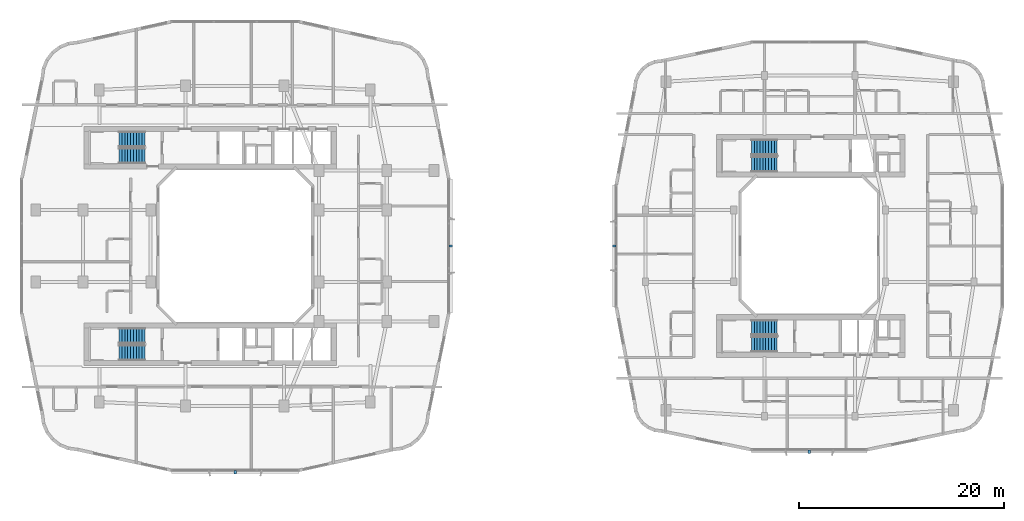
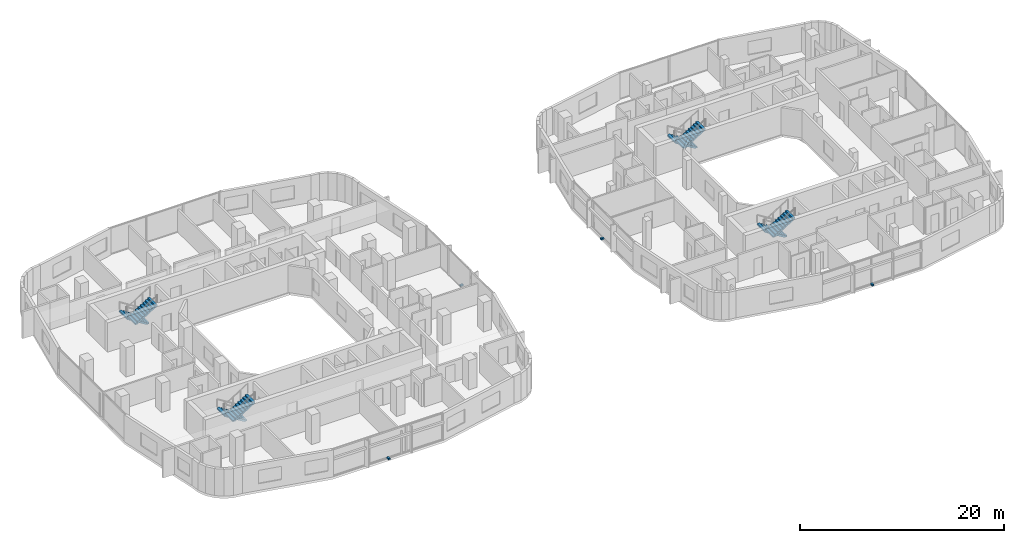
# One storey, part 22 of 27: 8 stair flights, 4 discrete accessories, 4 elements without a shape of their own.
"""IFC4 building model written with IfcOpenShell, lengths in metres."""

from ifc_helpers import new_model, si_unit, derived_unit, direction, frame, origin, origin_2d, place, context, subcontext, project, spatial, polyline, rectangle, outline, extrude, material, type_object, element, aggregate, save


model = new_model("IFC4")

# Units and contexts
model_context = context("Model", 3, precision=1e-05, world=origin(), true_north=direction((0.0, 1.0)))
body_context = subcontext(model_context, "Body", "Model", "MODEL_VIEW")
ifc_project = project(units=[si_unit("LENGTHUNIT", "METRE"), si_unit("AREAUNIT", "SQUARE_METRE"), si_unit("VOLUMEUNIT", "CUBIC_METRE"), si_unit("PLANEANGLEUNIT", "RADIAN"), si_unit("MASSUNIT", "GRAM", prefix="KILO"), derived_unit("THERMALTRANSMITTANCEUNIT", [(si_unit("POWERUNIT", "WATT"), 1), (si_unit("LENGTHUNIT", "METRE"), -2), (si_unit("THERMODYNAMICTEMPERATUREUNIT", "KELVIN"), -1)])], contexts=[model_context])

# Site, building, storey
site_placement = place(None, origin())
site = spatial("IfcSite", under=ifc_project, at=site_placement, CompositionType="ELEMENT")
building_placement = place(site_placement, origin())
building = spatial("IfcBuilding", under=site, at=building_placement, Name="Kivonza Crest Hotel", CompositionType="ELEMENT")
storey_placement = place(building_placement, frame((0.0, 0.0, 73.0)))
storey = spatial("IfcBuildingStorey", under=building, at=storey_placement, Name="L19", CompositionType="ELEMENT", Elevation=73.0)

# Stair, stair flights
ifc_material_1 = material(Name="Concrete C40/50", Category="concrete")
stair_type = type_object("IfcStairType", Name="ST-DL-20R", PredefinedType="HALF_TURN_STAIR", material=ifc_material_1)
stair_1_placement = place(storey_placement, origin())
stair_1 = element("IfcStair", 1, at=stair_1_placement, inside=storey, type_object=stair_type, Name="L19 Protected Exit Stair ST-T1-N", PredefinedType="HALF_TURN_STAIR")
stair_flight_type = type_object("IfcStairFlightType", Name="SFL-RC-10R", PredefinedType="STRAIGHT", material=ifc_material_1)
stair_flight_1_placement = place(storey_placement, frame((12.239990234375, 35.409912109375, 0.0), z_axis=(0.0, 0.0, 1.0), x_axis=(-1.0, 0.0, 0.0)))
stair_flight_1 = element("IfcStairFlight", 2, at=stair_flight_1_placement, type_object=stair_flight_type, Name="ST-T1-N flight 1", NumberOfRisers=10, NumberOfTreads=9, PredefinedType="STRAIGHT", RiserHeight=0.175, TreadLength=0.28, context=body_context, shape_type="SweptSolid", body=[
    extrude(outline(polyline([(0.0, 0.0), (0.0, 0.175048828125), (0.280029296875, 0.175048828125), (0.280029296875, 0.35009765625), (0.56005859375, 0.35009765625), (0.56005859375, 0.52490234375), (0.840087890625, 0.52490234375), (0.840087890625, 0.699951171875), (1.1201171875, 0.699951171875), (1.1201171875, 0.875), (1.39990234375, 0.875), (1.39990234375, 1.050048828125), (1.679931640625, 1.050048828125), (1.679931640625, 1.22509765625), (1.9599609375, 1.22509765625), (1.9599609375, 1.39990234375), (2.239990234375, 1.39990234375), (2.239990234375, 1.574951171875), (2.52001953125, 1.574951171875), (2.52001953125, 1.75), (2.52001953125, 1.398193359375), (0.28271484375, 0.0), (0.0, 0.0)])), frame((0.0, 0.75, 0.0), z_axis=(0.0, -1.0, 0.0), x_axis=(1.0, 0.0, 0.0)), (0.0, 0.0, 1.0), 1.5),
])
stair_flight_2_placement = place(storey_placement, frame((9.719970703125, 33.77001953125, 1.75), z_axis=(0.0, 0.0, 1.0), x_axis=(1.0, 0.0, 0.0)))
stair_flight_2 = element("IfcStairFlight", 3, at=stair_flight_2_placement, type_object=stair_flight_type, Name="ST-T1-N flight 2", NumberOfRisers=10, NumberOfTreads=9, PredefinedType="STRAIGHT", RiserHeight=0.175, TreadLength=0.28, context=body_context, shape_type="SweptSolid", body=[
    extrude(outline(polyline([(0.0, 0.0), (0.0, 0.175048828125), (0.280029296875, 0.175048828125), (0.280029296875, 0.35009765625), (0.56005859375, 0.35009765625), (0.56005859375, 0.52490234375), (0.840087890625, 0.52490234375), (0.840087890625, 0.699951171875), (1.1201171875, 0.699951171875), (1.1201171875, 0.875), (1.39990234375, 0.875), (1.39990234375, 1.050048828125), (1.679931640625, 1.050048828125), (1.679931640625, 1.22509765625), (1.9599609375, 1.22509765625), (1.9599609375, 1.39990234375), (2.239990234375, 1.39990234375), (2.239990234375, 1.574951171875), (2.52001953125, 1.574951171875), (2.52001953125, 1.75), (2.52001953125, 1.398193359375), (0.28271484375, 0.0), (0.0, 0.0)])), frame((0.0, 0.75, 0.0), z_axis=(0.0, -1.0, 0.0), x_axis=(1.0, 0.0, 0.0)), (0.0, 0.0, 1.0), 1.5),
])
aggregate(stair_1, [stair_flight_1, stair_flight_2])

stair_2_placement = place(storey_placement, origin())
stair_2 = element("IfcStair", 4, at=stair_2_placement, inside=storey, type_object=stair_type, Name="L19 Protected Exit Stair ST-T1-S", PredefinedType="HALF_TURN_STAIR")
stair_flight_3_placement = place(storey_placement, frame((12.239990234375, 16.25, 0.0), z_axis=(0.0, 0.0, 1.0), x_axis=(-1.0, 0.0, 0.0)))
stair_flight_3 = element("IfcStairFlight", 5, at=stair_flight_3_placement, type_object=stair_flight_type, Name="ST-T1-S flight 1", NumberOfRisers=10, NumberOfTreads=9, PredefinedType="STRAIGHT", RiserHeight=0.175, TreadLength=0.28, context=body_context, shape_type="SweptSolid", body=[
    extrude(outline(polyline([(0.0, 0.0), (0.0, 0.175048828125), (0.280029296875, 0.175048828125), (0.280029296875, 0.35009765625), (0.56005859375, 0.35009765625), (0.56005859375, 0.52490234375), (0.840087890625, 0.52490234375), (0.840087890625, 0.699951171875), (1.1201171875, 0.699951171875), (1.1201171875, 0.875), (1.39990234375, 0.875), (1.39990234375, 1.050048828125), (1.679931640625, 1.050048828125), (1.679931640625, 1.22509765625), (1.9599609375, 1.22509765625), (1.9599609375, 1.39990234375), (2.239990234375, 1.39990234375), (2.239990234375, 1.574951171875), (2.52001953125, 1.574951171875), (2.52001953125, 1.75), (2.52001953125, 1.398193359375), (0.28271484375, 0.0), (0.0, 0.0)])), frame((0.0, 0.75, 0.0), z_axis=(0.0, -1.0, 0.0), x_axis=(1.0, 0.0, 0.0)), (0.0, 0.0, 1.0), 1.5),
])
stair_flight_4_placement = place(storey_placement, frame((9.719970703125, 14.610107421875, 1.75), z_axis=(0.0, 0.0, 1.0), x_axis=(1.0, 0.0, 0.0)))
stair_flight_4 = element("IfcStairFlight", 6, at=stair_flight_4_placement, type_object=stair_flight_type, Name="ST-T1-S flight 2", NumberOfRisers=10, NumberOfTreads=9, PredefinedType="STRAIGHT", RiserHeight=0.175, TreadLength=0.28, context=body_context, shape_type="SweptSolid", body=[
    extrude(outline(polyline([(0.0, 0.0), (0.0, 0.175048828125), (0.280029296875, 0.175048828125), (0.280029296875, 0.35009765625), (0.56005859375, 0.35009765625), (0.56005859375, 0.52490234375), (0.840087890625, 0.52490234375), (0.840087890625, 0.699951171875), (1.1201171875, 0.699951171875), (1.1201171875, 0.875), (1.39990234375, 0.875), (1.39990234375, 1.050048828125), (1.679931640625, 1.050048828125), (1.679931640625, 1.22509765625), (1.9599609375, 1.22509765625), (1.9599609375, 1.39990234375), (2.239990234375, 1.39990234375), (2.239990234375, 1.574951171875), (2.52001953125, 1.574951171875), (2.52001953125, 1.75), (2.52001953125, 1.398193359375), (0.28271484375, 0.0), (0.0, 0.0)])), frame((0.0, 0.75, 0.0), z_axis=(0.0, -1.0, 0.0), x_axis=(1.0, 0.0, 0.0)), (0.0, 0.0, 1.0), 1.5),
])
aggregate(stair_2, [stair_flight_3, stair_flight_4])

stair_3_placement = place(storey_placement, origin())
stair_3 = element("IfcStair", 7, at=stair_3_placement, inside=storey, type_object=stair_type, Name="L19 Protected Exit Stair ST-T2-N", PredefinedType="HALF_TURN_STAIR")
stair_flight_5_placement = place(storey_placement, frame((73.840087890625, 34.610107421875, 0.0), z_axis=(0.0, 0.0, 1.0), x_axis=(-1.0, 0.0, 0.0)))
stair_flight_5 = element("IfcStairFlight", 8, at=stair_flight_5_placement, type_object=stair_flight_type, Name="ST-T2-N flight 1", NumberOfRisers=10, NumberOfTreads=9, PredefinedType="STRAIGHT", RiserHeight=0.175, TreadLength=0.28, context=body_context, shape_type="SweptSolid", body=[
    extrude(outline(polyline([(0.0, 0.0), (0.0, 0.175048828125), (0.280029296875, 0.175048828125), (0.280029296875, 0.35009765625), (0.56005859375, 0.35009765625), (0.56005859375, 0.52490234375), (0.840087890625, 0.52490234375), (0.840087890625, 0.699951171875), (1.1201171875, 0.699951171875), (1.1201171875, 0.875), (1.39990234375, 0.875), (1.39990234375, 1.050048828125), (1.679931640625, 1.050048828125), (1.679931640625, 1.22509765625), (1.9599609375, 1.22509765625), (1.9599609375, 1.39990234375), (2.239990234375, 1.39990234375), (2.239990234375, 1.574951171875), (2.52001953125, 1.574951171875), (2.52001953125, 1.75), (2.52001953125, 1.398193359375), (0.28271484375, 0.0), (0.0, 0.0)])), frame((0.0, 0.75, 0.0), z_axis=(0.0, -1.0, 0.0), x_axis=(1.0, 0.0, 0.0)), (0.0, 0.0, 1.0), 1.5),
])
stair_flight_6_placement = place(storey_placement, frame((71.320068359375, 32.969970703125, 1.75), z_axis=(0.0, 0.0, 1.0), x_axis=(1.0, 0.0, 0.0)))
stair_flight_6 = element("IfcStairFlight", 9, at=stair_flight_6_placement, type_object=stair_flight_type, Name="ST-T2-N flight 2", NumberOfRisers=10, NumberOfTreads=9, PredefinedType="STRAIGHT", RiserHeight=0.175, TreadLength=0.28, context=body_context, shape_type="SweptSolid", body=[
    extrude(outline(polyline([(0.0, 0.0), (0.0, 0.175048828125), (0.280029296875, 0.175048828125), (0.280029296875, 0.35009765625), (0.56005859375, 0.35009765625), (0.56005859375, 0.52490234375), (0.840087890625, 0.52490234375), (0.840087890625, 0.699951171875), (1.1201171875, 0.699951171875), (1.1201171875, 0.875), (1.39990234375, 0.875), (1.39990234375, 1.050048828125), (1.679931640625, 1.050048828125), (1.679931640625, 1.22509765625), (1.9599609375, 1.22509765625), (1.9599609375, 1.39990234375), (2.239990234375, 1.39990234375), (2.239990234375, 1.574951171875), (2.52001953125, 1.574951171875), (2.52001953125, 1.75), (2.52001953125, 1.398193359375), (0.28271484375, 0.0), (0.0, 0.0)])), frame((0.0, 0.75, 0.0), z_axis=(0.0, -1.0, 0.0), x_axis=(1.0, 0.0, 0.0)), (0.0, 0.0, 1.0), 1.5),
])
aggregate(stair_3, [stair_flight_5, stair_flight_6])

stair_4_placement = place(storey_placement, origin())
stair_4 = element("IfcStair", 10, at=stair_4_placement, inside=storey, type_object=stair_type, Name="L19 Protected Exit Stair ST-T2-S", PredefinedType="HALF_TURN_STAIR")
stair_flight_7_placement = place(storey_placement, frame((73.840087890625, 17.050048828125, 0.0), z_axis=(0.0, 0.0, 1.0), x_axis=(-1.0, 0.0, 0.0)))
stair_flight_7 = element("IfcStairFlight", 11, at=stair_flight_7_placement, type_object=stair_flight_type, Name="ST-T2-S flight 1", NumberOfRisers=10, NumberOfTreads=9, PredefinedType="STRAIGHT", RiserHeight=0.175, TreadLength=0.28, context=body_context, shape_type="SweptSolid", body=[
    extrude(outline(polyline([(0.0, 0.0), (0.0, 0.175048828125), (0.280029296875, 0.175048828125), (0.280029296875, 0.35009765625), (0.56005859375, 0.35009765625), (0.56005859375, 0.52490234375), (0.840087890625, 0.52490234375), (0.840087890625, 0.699951171875), (1.1201171875, 0.699951171875), (1.1201171875, 0.875), (1.39990234375, 0.875), (1.39990234375, 1.050048828125), (1.679931640625, 1.050048828125), (1.679931640625, 1.22509765625), (1.9599609375, 1.22509765625), (1.9599609375, 1.39990234375), (2.239990234375, 1.39990234375), (2.239990234375, 1.574951171875), (2.52001953125, 1.574951171875), (2.52001953125, 1.75), (2.52001953125, 1.398193359375), (0.28271484375, 0.0), (0.0, 0.0)])), frame((0.0, 0.75, 0.0), z_axis=(0.0, -1.0, 0.0), x_axis=(1.0, 0.0, 0.0)), (0.0, 0.0, 1.0), 1.5),
])
stair_flight_8_placement = place(storey_placement, frame((71.320068359375, 15.409912109375, 1.75), z_axis=(0.0, 0.0, 1.0), x_axis=(1.0, 0.0, 0.0)))
stair_flight_8 = element("IfcStairFlight", 12, at=stair_flight_8_placement, type_object=stair_flight_type, Name="ST-T2-S flight 2", NumberOfRisers=10, NumberOfTreads=9, PredefinedType="STRAIGHT", RiserHeight=0.175, TreadLength=0.28, context=body_context, shape_type="SweptSolid", body=[
    extrude(outline(polyline([(0.0, 0.0), (0.0, 0.175048828125), (0.280029296875, 0.175048828125), (0.280029296875, 0.35009765625), (0.56005859375, 0.35009765625), (0.56005859375, 0.52490234375), (0.840087890625, 0.52490234375), (0.840087890625, 0.699951171875), (1.1201171875, 0.699951171875), (1.1201171875, 0.875), (1.39990234375, 0.875), (1.39990234375, 1.050048828125), (1.679931640625, 1.050048828125), (1.679931640625, 1.22509765625), (1.9599609375, 1.22509765625), (1.9599609375, 1.39990234375), (2.239990234375, 1.39990234375), (2.239990234375, 1.574951171875), (2.52001953125, 1.574951171875), (2.52001953125, 1.75), (2.52001953125, 1.398193359375), (0.28271484375, 0.0), (0.0, 0.0)])), frame((0.0, 0.75, 0.0), z_axis=(0.0, -1.0, 0.0), x_axis=(1.0, 0.0, 0.0)), (0.0, 0.0, 1.0), 1.5),
])
aggregate(stair_4, [stair_flight_7, stair_flight_8])

# Discrete accessories
ifc_material_2 = material(Name="Stainless steel 316", Category="steel")
discrete_accessory_type = type_object("IfcDiscreteAccessoryType", Name="AC-BRACKET-240", PredefinedType="BRACKET", material=ifc_material_2)
for number, where, z_axis, x_axis, name in (
    (13, (21.0400390625, 2.9599609375, -0.009765625), (0.0, 0.0, 1.0), (1.0, 0.0, 0.0), "L19 terracotta baguette support bracket CW-T1-L19-08"),
    (14, (42.0400390625, 25.0, -0.009765625), (0.0, 0.0, 1.0), (0.0, 1.0, 0.0), "L19 terracotta baguette support bracket CW-T1-L19-17"),
    (15, (76.9599609375, 4.9599609375, -0.009765625), (0.0, 0.0, 1.0), (1.0, 0.0, 0.0), "L19 terracotta baguette support bracket CW-T2-L19-08"),
    (16, (57.9599609375, 25.0, -0.009765625), (0.0, 0.0, 1.0), (0.0, -1.0, 0.0), "L19 terracotta baguette support bracket CW-T2-L19-35"),
):
    element("IfcDiscreteAccessory", number, at=place(storey_placement, frame(where, z_axis=z_axis, x_axis=x_axis)), inside=storey, type_object=discrete_accessory_type, Name=name, PredefinedType="BRACKET", context=body_context, shape_type="SweptSolid", body=[
        extrude(rectangle(XDim=0.219970703125, YDim=0.340087890625, at=origin_2d()), origin(), (0.0, 0.0, 1.0), 0.179931640625),
    ])

save(model, "model.ifc")
